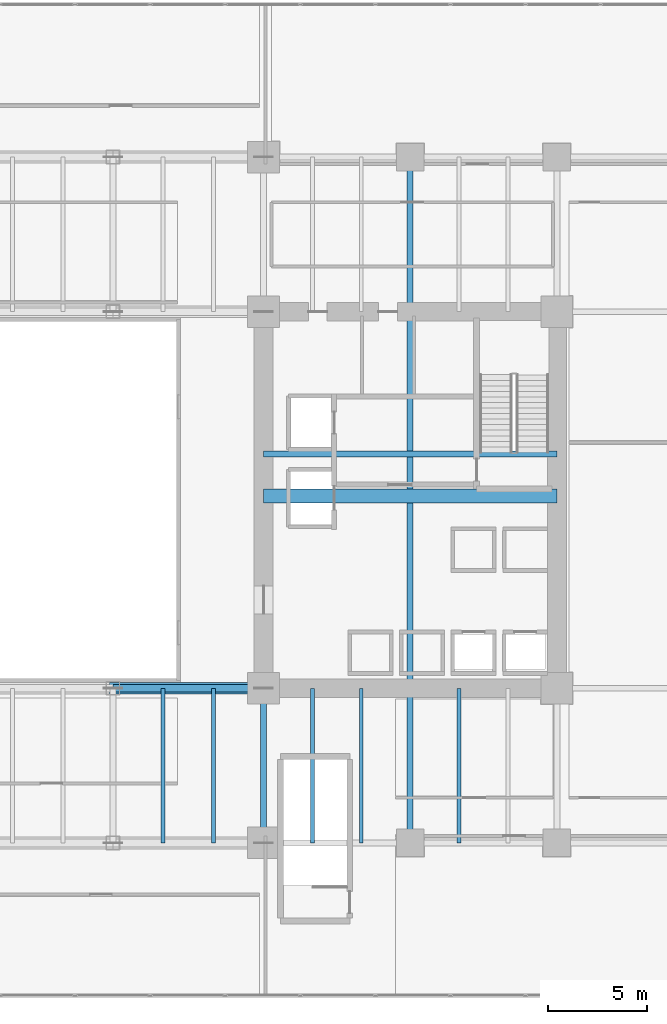
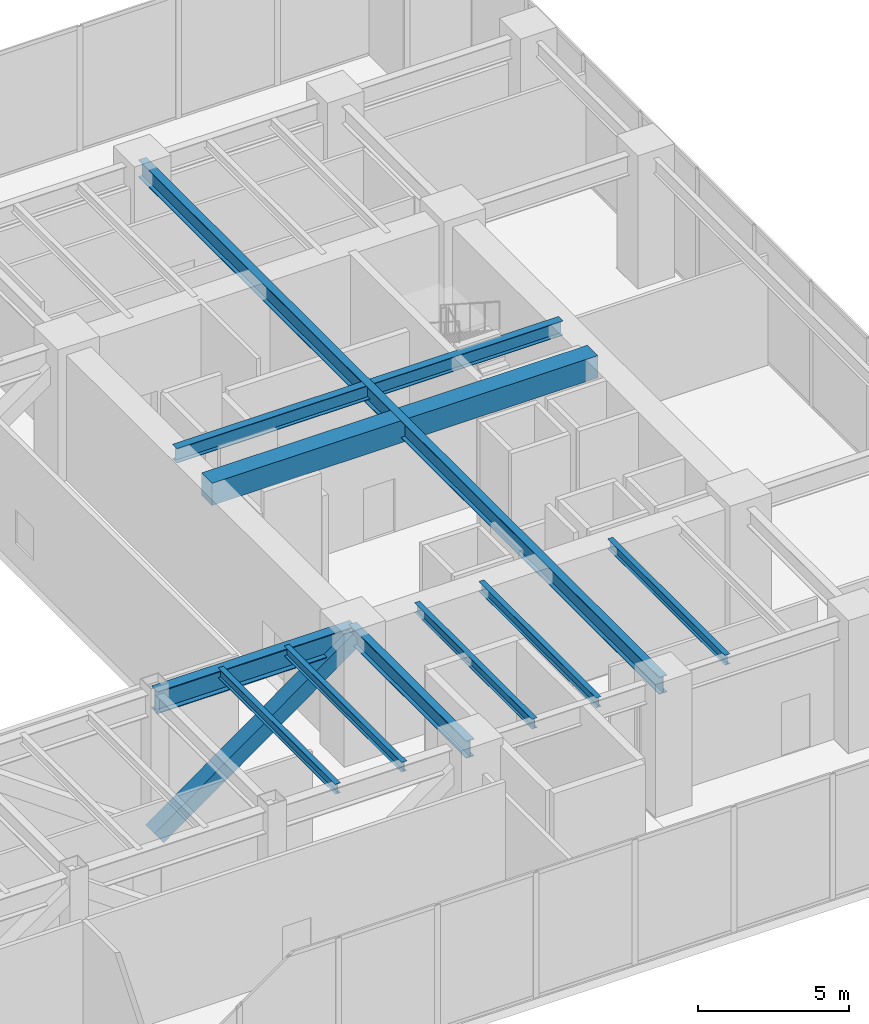
# One storey, part 11 of 35: 10 beams, 1 member.
"""IFC4 building model written with IfcOpenShell, lengths in metres."""

from ifc_helpers import new_model, si_unit, direction, frame, origin, origin_2d, place, context, subcontext, project, spatial, rectangle, hollow_rectangle, i_section, extrude, source, transform, mapped, material, material_profile, profile_set, type_object, type_shapes, element, save


model = new_model("IFC4")

# Units and contexts
model_context = context("Model", 3, precision=1e-05, world=origin(), true_north=direction((0.0, 1.0)))
body_context = subcontext(model_context, "Body", "Model", "MODEL_VIEW")
ifc_project = project(units=[si_unit("LENGTHUNIT", "METRE"), si_unit("AREAUNIT", "SQUARE_METRE"), si_unit("VOLUMEUNIT", "CUBIC_METRE"), si_unit("PLANEANGLEUNIT", "RADIAN"), si_unit("MASSUNIT", "GRAM", prefix="KILO")], contexts=[model_context])

# Site, building, storey
site_placement = place(None, origin())
site = spatial("IfcSite", under=ifc_project, at=site_placement, CompositionType="ELEMENT")
building_placement = place(site_placement, origin())
building = spatial("IfcBuilding", under=site, at=building_placement, Name="Haelvirn Gate Laboratories", CompositionType="ELEMENT")
storey_placement = place(building_placement, frame((0.0, 0.0, 19.800048828125)))
storey = spatial("IfcBuildingStorey", under=building, at=storey_placement, Name="L05", CompositionType="ELEMENT", Elevation=19.800048828125)

# Beams
ifc_material_1 = material(Name="Concrete C60/75", Category="concrete")
ifc_material_profile_1 = material_profile(ifc_material_1, rectangle(XDim=0.699951171875, YDim=0.89990234375, at=origin_2d()), Name="RCB-700x900")
ifc_profile_set_1 = profile_set([ifc_material_profile_1], Name="Concrete C60/75")
beam_type_1 = type_object("IfcBeamType", Name="BM-RCB-900", PredefinedType="LINTEL", material=ifc_profile_set_1)
shared_shape_1 = source(origin(), body_context, "Body", "SweptSolid", [
    extrude(rectangle(XDim=0.699951171875, YDim=0.89990234375, at=origin_2d()), origin(), (0.0, 0.0, 1.0), 14.7998046875),
])
type_shapes(beam_type_1, [shared_shape_1])
beam_1_placement = place(storey_placement, frame((52.60009765625, 24.5, 4.6298828125), z_axis=(1.0, 0.0, 0.0), x_axis=(0.0, 1.0, 0.0)))
element("IfcBeam", 1, at=beam_1_placement, inside=storey, type_object=beam_type_1, Name="L05 East Core Coupling Beam", PredefinedType="LINTEL", context=body_context, shape_type="MappedRepresentation", body=[
    mapped(shared_shape_1, transform((0.0, 0.0, 0.0), scale=1.0)),
])
ifc_material_2 = material(Name="Steel SM355", Category="steel")
ifc_material_profile_2 = material_profile(ifc_material_2, i_section(OverallWidth=0.300048828125, OverallDepth=0.587890625, WebThickness=0.011962890625, FlangeThickness=0.02001953125, at=origin_2d()), Name="H-588x300x12x20")
ifc_profile_set_2 = profile_set([ifc_material_profile_2], Name="Steel SM355")
beam_type_2 = type_object("IfcBeamType", Name="BM-G-588", PredefinedType="BEAM", material=ifc_profile_set_2)
shared_shape_2 = source(origin(), body_context, "Body", "SweptSolid", [
    extrude(i_section(OverallWidth=0.300048828125, OverallDepth=0.587890625, WebThickness=0.011962890625, FlangeThickness=0.02001953125, at=origin_2d()), origin(), (0.0, 0.0, 1.0), 14.7998046875),
])
type_shapes(beam_type_2, [shared_shape_2])
beam_2_placement = place(storey_placement, frame((52.60009765625, 26.6201171875, 4.785888671875), z_axis=(1.0, 0.0, 0.0), x_axis=(0.0, 1.0, 0.0)))
element("IfcBeam", 2, at=beam_2_placement, inside=storey, type_object=beam_type_2, Name="L05 Stair ST2 Landing Header", PredefinedType="BEAM", context=body_context, shape_type="MappedRepresentation", body=[
    mapped(shared_shape_2, transform((0.0, 0.0, 0.0), scale=1.0)),
])
ifc_material_profile_3 = material_profile(ifc_material_2, i_section(OverallWidth=0.199951171875, OverallDepth=0.39990234375, WebThickness=0.008056640625, FlangeThickness=0.012939453125, at=origin_2d()), Name="H-400x200x8x13")
ifc_profile_set_3 = profile_set([ifc_material_profile_3], Name="Steel SM355")
beam_type_3 = type_object("IfcBeamType", Name="BM-J-400", PredefinedType="JOIST", material=ifc_profile_set_3)
shared_shape_3 = source(origin(), body_context, "Body", "SweptSolid", [
    extrude(i_section(OverallWidth=0.199951171875, OverallDepth=0.39990234375, WebThickness=0.008056640625, FlangeThickness=0.012939453125, at=origin_2d()), origin(), (0.0, 0.0, 1.0), 7.800048828125),
])
type_shapes(beam_type_3, [shared_shape_3])
for number, where, z_axis, x_axis, name in (
    (3, (47.530029296875, 7.0, 4.8798828125), (0.0, 1.0, 0.0), (-1.0, 0.0, 0.0), "L05 Composite Lab Joist South X47.53"),
    (4, (50.070068359375, 7.0, 4.8798828125), (0.0, 1.0, 0.0), (-1.0, 0.0, 0.0), "L05 Composite Lab Joist South X50.07"),
    (5, (55.070068359375, 7.0, 4.8798828125), (0.0, 1.0, 0.0), (-1.0, 0.0, 0.0), "L05 Composite Lab Joist South X55.07"),
    (6, (57.530029296875, 7.0, 4.8798828125), (0.0, 1.0, 0.0), (-1.0, 0.0, 0.0), "L05 Composite Lab Joist South X57.53"),
    (7, (62.469970703125, 7.0, 4.8798828125), (0.0, 1.0, 0.0), (-1.0, 0.0, 0.0), "L05 Composite Lab Joist South X62.47"),
):
    element("IfcBeam", number, at=place(storey_placement, frame(where, z_axis=z_axis, x_axis=x_axis)), inside=storey, type_object=beam_type_3, Name=name, PredefinedType="JOIST", context=body_context, shape_type="MappedRepresentation", body=[
        mapped(shared_shape_3, transform((0.0, 0.0, 0.0), scale=1.0)),
    ])
ifc_material_profile_4 = material_profile(ifc_material_2, i_section(OverallWidth=0.300048828125, OverallDepth=0.699951171875, WebThickness=0.012939453125, FlangeThickness=0.02392578125, at=origin_2d()), Name="H-700x300x13x24")
ifc_profile_set_4 = profile_set([ifc_material_profile_4], Name="Steel SM355")
beam_type_4 = type_object("IfcBeamType", Name="BM-G-700", PredefinedType="BEAM", material=ifc_profile_set_4)
shared_shape_4 = source(origin(), body_context, "Body", "SweptSolid", [
    extrude(i_section(OverallWidth=0.300048828125, OverallDepth=0.699951171875, WebThickness=0.012939453125, FlangeThickness=0.02392578125, at=origin_2d()), origin(), (0.0, 0.0, 1.0), 7.800048828125),
])
beam_3_placement = place(storey_placement, frame((52.60009765625, 7.0, 4.72998046875), z_axis=(0.0, 1.0, 0.0), x_axis=(-1.0, 0.0, 0.0)))
element("IfcBeam", 8, at=beam_3_placement, inside=storey, type_object=beam_type_4, Name="L05 Frame Girder X52.6 (7.0-14.8)", PredefinedType="BEAM", context=body_context, shape_type="MappedRepresentation", body=[
    mapped(shared_shape_4, transform((0.0, 0.0, 0.0), scale=1.0)),
])
shared_shape_5 = source(origin(), body_context, "Body", "SweptSolid", [
    extrude(i_section(OverallWidth=0.300048828125, OverallDepth=0.699951171875, WebThickness=0.012939453125, FlangeThickness=0.02392578125, at=origin_2d()), origin(), (0.0, 0.0, 1.0), 34.60009765625),
])
type_shapes(beam_type_4, [shared_shape_4, shared_shape_5])
beam_4_placement = place(storey_placement, frame((60.0, 7.0, 4.72998046875), z_axis=(0.0, 1.0, 0.0), x_axis=(-1.0, 0.0, 0.0)))
element("IfcBeam", 9, at=beam_4_placement, inside=storey, type_object=beam_type_4, Name="L05 Frame Girder X60.0 (7.0-41.6)", PredefinedType="BEAM", context=body_context, shape_type="MappedRepresentation", body=[
    mapped(shared_shape_5, transform((0.0, 0.0, 0.0), scale=1.0)),
])
ifc_material_3 = material(Name="Steel SM420", Category="steel")
ifc_material_profile_5 = material_profile(ifc_material_3, i_section(OverallWidth=0.39990234375, OverallDepth=0.89990234375, WebThickness=0.01904296875, FlangeThickness=0.031982421875, at=origin_2d()), Name="H-900x400x19x32")
ifc_profile_set_5 = profile_set([ifc_material_profile_5], Name="Steel SM420")
beam_type_5 = type_object("IfcBeamType", Name="BM-TG-900", PredefinedType="BEAM", material=ifc_profile_set_5)
shared_shape_6 = source(origin(), body_context, "Body", "SweptSolid", [
    extrude(i_section(OverallWidth=0.39990234375, OverallDepth=0.89990234375, WebThickness=0.01904296875, FlangeThickness=0.031982421875, at=origin_2d()), origin(), (0.0, 0.0, 1.0), 7.60009765625),
])
type_shapes(beam_type_5, [shared_shape_6])
beam_5_placement = place(storey_placement, frame((45.0, 14.800048828125, 4.6298828125), z_axis=(1.0, 0.0, 0.0), x_axis=(0.0, 1.0, 0.0)))
element("IfcBeam", 10, at=beam_5_placement, inside=storey, type_object=beam_type_5, Name="L05 Primary Girder Y14.8 (45.0-52.6)", PredefinedType="BEAM", context=body_context, shape_type="MappedRepresentation", body=[
    mapped(shared_shape_6, transform((0.0, 0.0, 0.0), scale=1.0)),
])

# Member
ifc_material_profile_6 = material_profile(ifc_material_3, hollow_rectangle(XDim=0.60009765625, YDim=0.60009765625, WallThickness=0.028076171875, at=origin_2d()), Name="BOX-600x600x28")
ifc_profile_set_6 = profile_set([ifc_material_profile_6], Name="Steel SM420")
member_type = type_object("IfcMemberType", Name="MEM-TRUSS-DIAG", PredefinedType="BRACE", material=ifc_profile_set_6)
shared_shape_7 = source(origin(), body_context, "Body", "SweptSolid", [
    extrude(hollow_rectangle(XDim=0.60009765625, YDim=0.60009765625, WallThickness=0.028076171875, at=origin_2d()), origin(), (0.0, 0.0, 1.0), 9.340576171875),
])
type_shapes(member_type, [shared_shape_7])
member_placement = place(storey_placement, frame((45.0, 14.800048828125, -0.800048828125), z_axis=(0.813668121692, 0.0, 0.581329672167), x_axis=(0.0, 1.0, 0.0)))
element("IfcMember", 11, at=member_placement, inside=storey, type_object=member_type, Name="L05 Portal Transfer Truss Diagonal Y14.8-4", PredefinedType="BRACE", context=body_context, shape_type="MappedRepresentation", body=[
    mapped(shared_shape_7, transform((0.0, 0.0, 0.0), scale=1.0)),
])

save(model, "model.ifc")
